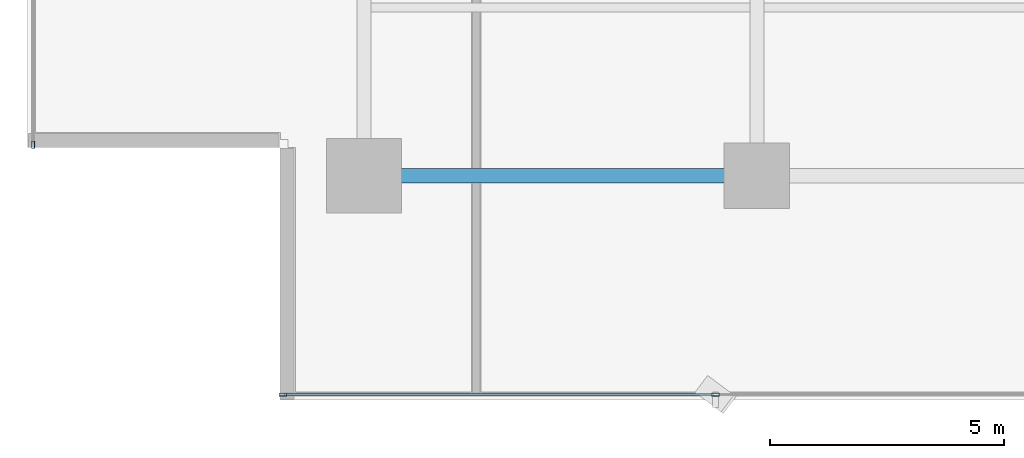
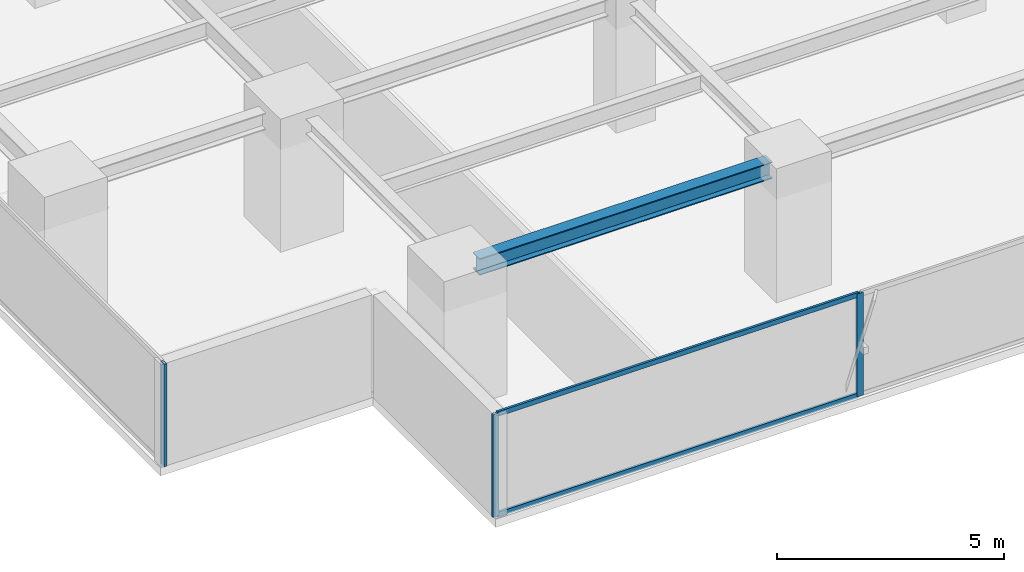
# One storey, part 2 of 27: 5 members, 1 beam, 2 elements without a shape of their own.
"""IFC4 building model written with IfcOpenShell, lengths in metres."""

from ifc_helpers import new_model, si_unit, direction, frame, origin, origin_2d, place, context, subcontext, project, spatial, hollow_rectangle, i_section, extrude, source, transform, mapped, material, layer, layer_set, material_profile, profile_set, type_object, element, aggregate, save


model = new_model("IFC4")

# Units and contexts
model_context = context("Model", 3, precision=1e-05, world=origin(), true_north=direction((0.0, 1.0)))
body_context = subcontext(model_context, "Body", "Model", "MODEL_VIEW")
ifc_project = project(units=[si_unit("LENGTHUNIT", "METRE"), si_unit("AREAUNIT", "SQUARE_METRE"), si_unit("VOLUMEUNIT", "CUBIC_METRE"), si_unit("PLANEANGLEUNIT", "RADIAN"), si_unit("MASSUNIT", "GRAM", prefix="KILO")], contexts=[model_context])

# Site, building, storey
site_placement = place(None, origin())
site = spatial("IfcSite", under=ifc_project, at=site_placement, CompositionType="ELEMENT")
building_placement = place(site_placement, origin())
building = spatial("IfcBuilding", under=site, at=building_placement, Name="Sumidabori Civic Tower", CompositionType="ELEMENT")
storey_placement = place(building_placement, frame((0.0, 0.0, 160.39990234375)))
storey = spatial("IfcBuildingStorey", under=building, at=storey_placement, Name="L41", CompositionType="ELEMENT", Elevation=160.39990234375)

# Beam
ifc_material_1 = material(Name="Steel SN490", Category="steel")
ifc_material_profile_1 = material_profile(ifc_material_1, i_section(OverallWidth=0.300048828125, OverallDepth=0.449951171875, WebThickness=0.013916015625, FlangeThickness=0.02587890625, at=origin_2d()), Name="HE 450 B")
ifc_profile_set_1 = profile_set([ifc_material_profile_1], Name="Steel SN490")
beam_type = type_object("IfcBeamType", Name="BM-GIRD-450", PredefinedType="BEAM", material=ifc_profile_set_1)
shared_shape_1 = source(origin(), body_context, "Body", "SweptSolid", [
    extrude(i_section(OverallWidth=0.300048828125, OverallDepth=0.449951171875, WebThickness=0.013916015625, FlangeThickness=0.02587890625, at=origin_2d()), origin(), (0.0, 0.0, 1.0), 7.440185546875),
])
beam_placement = place(storey_placement, frame((-16.320068359375, -18.0, 3.155029296875), z_axis=(1.0, 0.0, 0.0), x_axis=(0.0, 1.0, 0.0)))
element("IfcBeam", 1, at=beam_placement, inside=storey, type_object=beam_type, Name="Primary Girder L41 GX-01", PredefinedType="BEAM", context=body_context, shape_type="MappedRepresentation", body=[
    mapped(shared_shape_1, transform((0.0, 0.0, 0.0), x_axis=(1.0, 0.0, 0.0), y_axis=(0.0, 1.0, 0.0), z_axis=(0.0, 0.0, 1.0), scale=1.0)),
])

# Curtain wall, members
ifc_material_2 = material(Name="Anodised Bronze Aluminium AW-6063-T6", Category="aluminium")
ifc_layer = layer(ifc_material_2, 0.179931640625, Name="Anodised Bronze Aluminium AW-6063-T6")
ifc_layer_set = layer_set([ifc_layer], Name="Anodised Bronze Aluminium AW-6063-T6")
curtain_wall_type = type_object("IfcCurtainWallType", Name="CW-SYS-3", PredefinedType="NOTDEFINED", material=ifc_layer_set)
curtain_wall_1_placement = place(storey_placement, origin())
curtain_wall_1 = element("IfcCurtainWall", 2, at=curtain_wall_1_placement, inside=storey, type_object=curtain_wall_type, Name="Curtain Wall CW:L41:R01", PredefinedType="NOTDEFINED")
ifc_material_profile_2 = material_profile(ifc_material_2, hollow_rectangle(XDim=0.06494140625, YDim=0.159912109375, WallThickness=0.0048828125, at=origin_2d()), Name="ALU MULLION 160x65")
ifc_profile_set_2 = profile_set([ifc_material_profile_2], Name="Anodised Bronze Aluminium AW-6063-T6")
member_type_1 = type_object("IfcMemberType", Name="CW-MUL-160", PredefinedType="MULLION", material=ifc_profile_set_2)
shared_shape_2 = source(origin(), body_context, "Body", "SweptSolid", [
    extrude(hollow_rectangle(XDim=0.06494140625, YDim=0.159912109375, WallThickness=0.0048828125, at=origin_2d()), origin(), (0.0, 0.0, 1.0), 2.760009765625),
])
member_1_placement = place(storey_placement, frame((-18.53759765625, -22.679931640625, 0.0), z_axis=(0.0, 0.0, 1.0), x_axis=(0.0, 1.0, 0.0)))
member_1 = element("IfcMember", 3, at=member_1_placement, type_object=member_type_1, Name="CW-3 mullion 1", PredefinedType="MULLION", context=body_context, shape_type="MappedRepresentation", body=[
    mapped(shared_shape_2, transform((0.0, 0.0, 0.0), x_axis=(1.0, 0.0, 0.0), y_axis=(0.0, 1.0, 0.0), z_axis=(0.0, 0.0, 1.0), scale=1.0)),
])
member_2_placement = place(storey_placement, frame((-9.284912109375, -22.679931640625, 0.0), z_axis=(0.0, 0.0, 1.0), x_axis=(0.0, 1.0, 0.0)))
member_2 = element("IfcMember", 4, at=member_2_placement, type_object=member_type_1, Name="CW-3 mullion 2", PredefinedType="MULLION", context=body_context, shape_type="MappedRepresentation", body=[
    mapped(shared_shape_2, transform((0.0, 0.0, 0.0), x_axis=(1.0, 0.0, 0.0), y_axis=(0.0, 1.0, 0.0), z_axis=(0.0, 0.0, 1.0), scale=1.0)),
])

# Curtain wall, member
curtain_wall_2_placement = place(storey_placement, origin())
curtain_wall_2 = element("IfcCurtainWall", 5, at=curtain_wall_2_placement, inside=storey, type_object=curtain_wall_type, Name="Curtain Wall CW:L41:R10", PredefinedType="NOTDEFINED")
member_3_placement = place(storey_placement, frame((-23.8798828125, -17.33740234375, 0.0), z_axis=(0.0, 0.0, 1.0), x_axis=(1.0, 0.0, 0.0)))
member_3 = element("IfcMember", 6, at=member_3_placement, type_object=member_type_1, Name="CW-3 mullion 5", PredefinedType="MULLION", context=body_context, shape_type="MappedRepresentation", body=[
    mapped(shared_shape_2, transform((0.0, 0.0, 0.0), x_axis=(1.0, 0.0, 0.0), y_axis=(0.0, 1.0, 0.0), z_axis=(0.0, 0.0, 1.0), scale=1.0)),
])
aggregate(curtain_wall_2, [member_3])

# Member
ifc_material_profile_3 = material_profile(ifc_material_2, hollow_rectangle(XDim=0.06005859375, YDim=0.1298828125, WallThickness=0.0048828125, at=origin_2d()), Name="ALU TRANSOM 130x60")
ifc_profile_set_3 = profile_set([ifc_material_profile_3], Name="Anodised Bronze Aluminium AW-6063-T6")
member_type_2 = type_object("IfcMemberType", Name="CW-TRN-130", PredefinedType="USERDEFINED", material=ifc_profile_set_3)
shared_shape_3 = source(origin(), body_context, "Body", "SweptSolid", [
    extrude(hollow_rectangle(XDim=0.06005859375, YDim=0.1298828125, WallThickness=0.0048828125, at=origin_2d()), origin(), (0.0, 0.0, 1.0), 9.1875),
])
member_4_placement = place(storey_placement, frame((-18.5048828125, -22.679931640625, 0.030029296875), z_axis=(1.0, 0.0, 0.0), x_axis=(0.0, 1.0, 0.0)))
member_4 = element("IfcMember", 7, at=member_4_placement, type_object=member_type_2, Name="CW-3 transom 1.1", ObjectType="TRANSOM", PredefinedType="USERDEFINED", context=body_context, shape_type="MappedRepresentation", body=[
    mapped(shared_shape_3, transform((0.0, 0.0, 0.0), x_axis=(1.0, 0.0, 0.0), y_axis=(0.0, 1.0, 0.0), z_axis=(0.0, 0.0, 1.0), scale=1.0)),
])

member_5_placement = place(storey_placement, frame((-18.5048828125, -22.679931640625, 2.72998046875), z_axis=(1.0, 0.0, 0.0), x_axis=(0.0, 1.0, 0.0)))
member_5 = element("IfcMember", 8, at=member_5_placement, type_object=member_type_2, Name="CW-3 transom 1.2", ObjectType="TRANSOM", PredefinedType="USERDEFINED", context=body_context, shape_type="MappedRepresentation", body=[
    mapped(shared_shape_3, transform((0.0, 0.0, 0.0), x_axis=(1.0, 0.0, 0.0), y_axis=(0.0, 1.0, 0.0), z_axis=(0.0, 0.0, 1.0), scale=1.0)),
])

aggregate(curtain_wall_1, [member_1, member_2, member_4, member_5])

save(model, "model.ifc")
